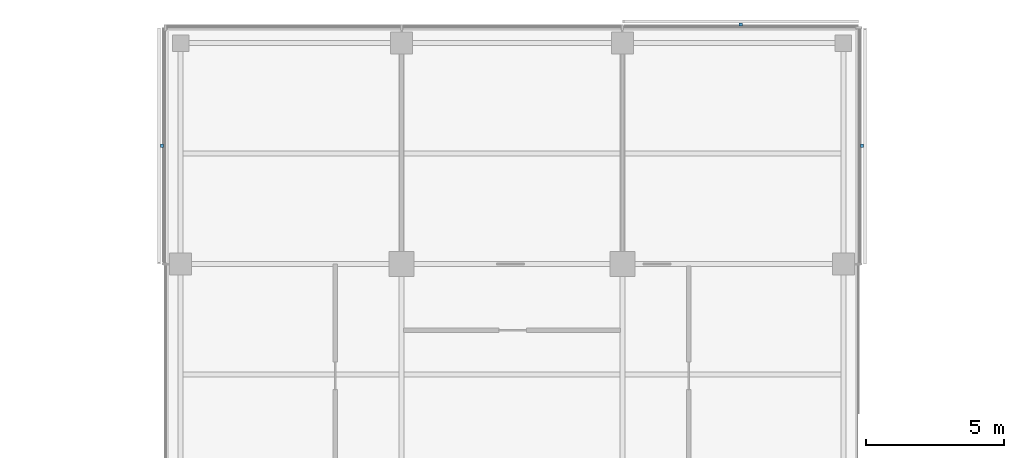
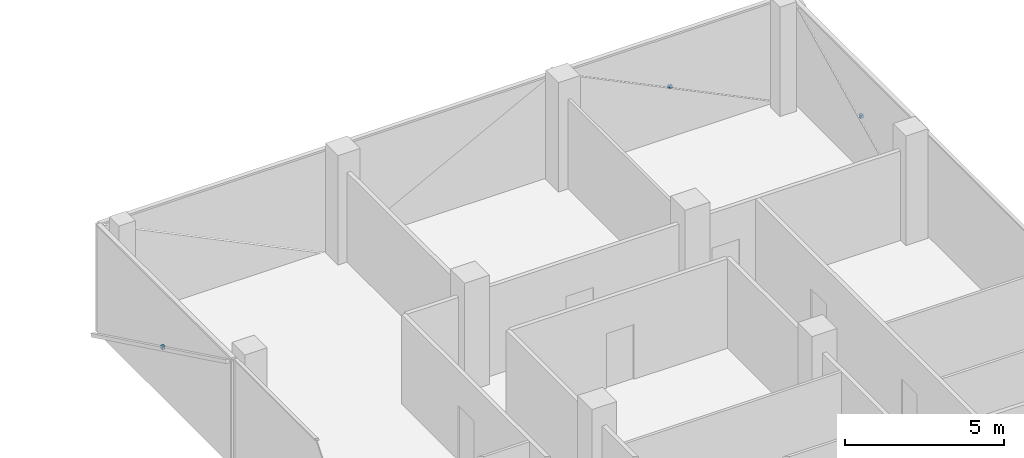
# One storey, part 14 of 15: 3 discrete accessories.
"""IFC4 building model written with IfcOpenShell, lengths in metres."""

from ifc_helpers import new_model, si_unit, direction, frame, origin, origin_2d, place, context, subcontext, project, spatial, rectangle, extrude, material, type_object, element, save


model = new_model("IFC4")

# Units and contexts
model_context = context("Model", 3, precision=1e-05, world=origin(), true_north=direction((0.0, 1.0)))
body_context = subcontext(model_context, "Body", "Model", "MODEL_VIEW")
ifc_project = project(units=[si_unit("LENGTHUNIT", "METRE"), si_unit("AREAUNIT", "SQUARE_METRE"), si_unit("VOLUMEUNIT", "CUBIC_METRE"), si_unit("PLANEANGLEUNIT", "RADIAN"), si_unit("MASSUNIT", "GRAM", prefix="KILO")], contexts=[model_context])

# Site, building, storey
site_placement = place(None, origin())
site = spatial("IfcSite", under=ifc_project, at=site_placement, CompositionType="ELEMENT")
building_placement = place(site_placement, origin())
building = spatial("IfcBuilding", under=site, at=building_placement, Name="Crosswind Convention Tower", CompositionType="ELEMENT")
storey_placement = place(building_placement, frame((0.0, 0.0, 195.699951171875)))
storey = spatial("IfcBuildingStorey", under=building, at=storey_placement, Name="L41", CompositionType="ELEMENT", Elevation=195.699951171875)

# Discrete accessories
ifc_material = material(Name="Stainless steel", Category="steel")
discrete_accessory_type = type_object("IfcDiscreteAccessoryType", Name="BAGUETTE BRACKET BK3", PredefinedType="BRACKET", material=ifc_material)
for number, where, z_axis, x_axis, name in (
    (1, (137.676025390625, 124.280029296875, 1.705078125), (0.0, 0.0, 1.0), (0.0, 1.0, 0.0), "BK3 baguette bracket"),
    (2, (133.280029296875, 128.676025390625, 1.705078125), (0.0, 0.0, 1.0), (-1.0, 0.0, 0.0), "BK3 baguette bracket"),
    (3, (112.323974609375, 124.280029296875, 1.705078125), (0.0, 0.0, 1.0), (0.0, -1.0, 0.0), "BK3 baguette bracket"),
):
    element("IfcDiscreteAccessory", number, at=place(storey_placement, frame(where, z_axis=z_axis, x_axis=x_axis)), inside=storey, type_object=discrete_accessory_type, Name=name, PredefinedType="BRACKET", context=body_context, shape_type="SweptSolid", body=[
        extrude(rectangle(XDim=0.1201171875, YDim=0.10009765625, at=origin_2d()), origin(), (0.0, 0.0, 1.0), 0.1201171875),
    ])

save(model, "model.ifc")
